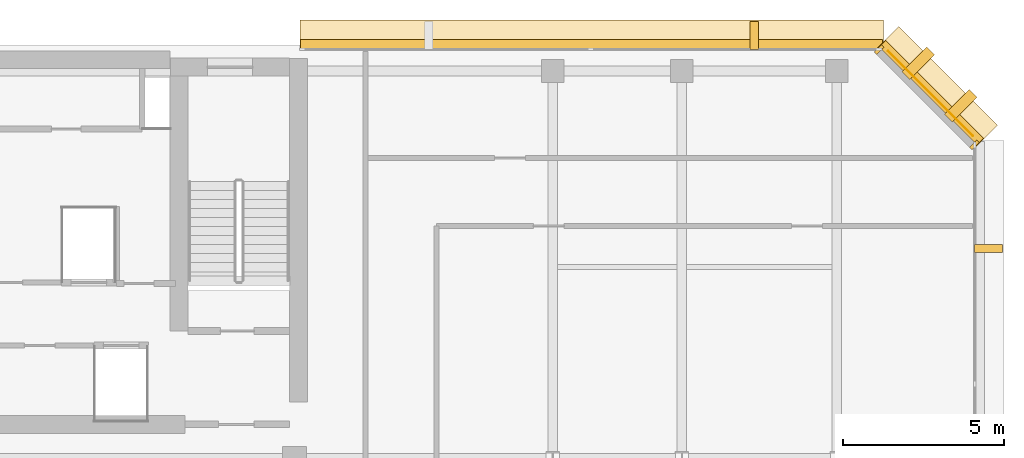
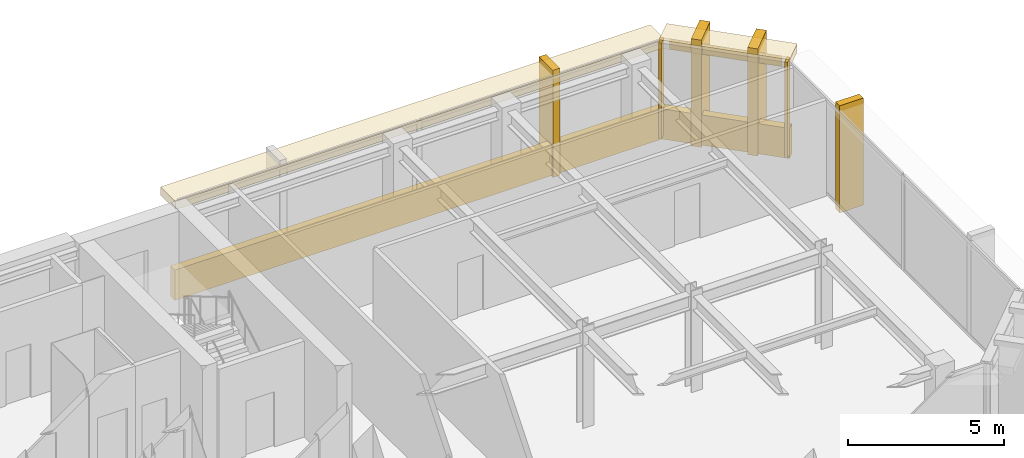
# One storey, part 12 of 12: 11 coverings.
"""IFC4 building model written with IfcOpenShell, lengths in metres."""

from ifc_helpers import new_model, si_unit, direction, frame, origin, origin_2d, place, context, subcontext, project, spatial, rectangle, extrude, material, layer, layer_set, type_object, element, save


model = new_model("IFC4")

# Units and contexts
model_context = context("Model", 3, precision=1e-05, world=origin(), true_north=direction((0.0, 1.0)))
body_context = subcontext(model_context, "Body", "Model", "MODEL_VIEW")
ifc_project = project(units=[si_unit("LENGTHUNIT", "METRE"), si_unit("AREAUNIT", "SQUARE_METRE"), si_unit("VOLUMEUNIT", "CUBIC_METRE"), si_unit("PLANEANGLEUNIT", "RADIAN"), si_unit("MASSUNIT", "GRAM", prefix="KILO")], contexts=[model_context])

# Site, building, storey
site_placement = place(None, origin())
site = spatial("IfcSite", under=ifc_project, at=site_placement, CompositionType="ELEMENT")
building_placement = place(site_placement, origin())
building = spatial("IfcBuilding", under=site, at=building_placement, Name="Kefirva Bronze Tower", CompositionType="ELEMENT")
storey_placement = place(building_placement, frame((0.0, 0.0, 339.570068359375)))
storey = spatial("IfcBuildingStorey", under=building, at=storey_placement, Name="L83", CompositionType="ELEMENT", Elevation=339.570068359375)

# Coverings
ifc_material = material(Name="Bronze anodised aluminium", Category="aluminium")
ifc_layer_1 = layer(ifc_material, 0.02001953125, Name="Bronze anodised aluminium")
ifc_layer_set_1 = layer_set([ifc_layer_1], Name="Bronze anodised aluminium")
covering_type_1 = type_object("IfcCoveringType", Name="Anodised Bronze Spandrel Cladding 20mm", PredefinedType="CLADDING", material=ifc_layer_set_1)
covering_1_placement = place(storey_placement, frame((42.906982421875, 44.507080078125, 3.320068359375), z_axis=(0.0, 0.0, 1.0), x_axis=(-0.707106781187, 0.707106781187, 0.0)))
element("IfcCovering", 1, at=covering_1_placement, inside=storey, type_object=covering_type_1, Name="L83 Bronze Spandrel Cladding 8", PredefinedType="CLADDING", context=body_context, shape_type="SweptSolid", body=[
    extrude(rectangle(XDim=3.719482421875, YDim=0.02001953125, at=origin_2d()), origin(), (0.0, 0.0, 1.0), 0.39990234375),
])
for number, where, z_axis, x_axis, name in (
    (2, (44.26220703125, 42.91162109375, 0.0), (0.0, 0.0, 1.0), (-0.707106781187, 0.707106781187, 0.0), "L83 Facade Joint Closure Panel 8S"),
    (3, (41.311767578125, 45.862060546875, 0.0), (0.0, 0.0, 1.0), (-0.707106781187, 0.707106781187, 0.0), "L83 Facade Joint Closure Panel 8E"),
):
    element("IfcCovering", number, at=place(storey_placement, frame(where, z_axis=z_axis, x_axis=x_axis)), inside=storey, type_object=covering_type_1, Name=name, PredefinedType="CLADDING", context=body_context, shape_type="SweptSolid", body=[
        extrude(rectangle(XDim=0.10009765625, YDim=0.320068359375, at=origin_2d()), origin(), (0.0, 0.0, 1.0), 3.739990234375),
    ])
covering_2_placement = place(storey_placement, frame((42.92822265625, 44.5283203125, -0.16015625), z_axis=(0.0, 0.0, 1.0), x_axis=(-0.707106781187, 0.707106781187, 0.0)))
element("IfcCovering", 4, at=covering_2_placement, inside=storey, type_object=covering_type_1, Name="L83 Streamline Horizontal Spandrel Band 11", PredefinedType="CLADDING", context=body_context, shape_type="SweptSolid", body=[
    extrude(rectangle(XDim=4.28271484375, YDim=0.280029296875, at=origin_2d()), origin(), (0.0, 0.0, 1.0), 1.179931640625),
])
covering_3_placement = place(storey_placement, frame((32.402587890625, 46.0400390625, -0.16015625), z_axis=(0.0, 0.0, 1.0), x_axis=(-1.0, 0.0, 0.0)))
element("IfcCovering", 5, at=covering_3_placement, inside=storey, type_object=covering_type_1, Name="L83 Streamline Horizontal Spandrel Band 12", PredefinedType="CLADDING", context=body_context, shape_type="SweptSolid", body=[
    extrude(rectangle(XDim=18.034912109375, YDim=0.280029296875, at=origin_2d()), origin(), (0.0, 0.0, 1.0), 1.179931640625),
])
ifc_layer_2 = layer(ifc_material, 0.179931640625, Name="Bronze anodised aluminium")
ifc_layer_set_2 = layer_set([ifc_layer_2], Name="Bronze anodised aluminium")
covering_type_2 = type_object("IfcCoveringType", Name="Streamline Bronze Sunshade Eyebrow Cladding 180mm", PredefinedType="CLADDING", material=ifc_layer_set_2)
covering_4_placement = place(storey_placement, frame((43.119140625, 44.71923828125, 3.419921875), z_axis=(0.0, 0.0, 1.0), x_axis=(-0.707106781187, 0.707106781187, 0.0)))
element("IfcCovering", 6, at=covering_4_placement, inside=storey, type_object=covering_type_2, Name="L83 Streamline Bronze Sunshade Eyebrow 11", PredefinedType="CLADDING", context=body_context, shape_type="SweptSolid", body=[
    extrude(rectangle(XDim=4.322509765625, YDim=0.93994140625, at=origin_2d()), origin(), (0.0, 0.0, 1.0), 0.320068359375),
])
covering_5_placement = place(storey_placement, frame((32.402587890625, 46.31005859375, 3.419921875), z_axis=(0.0, 0.0, 1.0), x_axis=(-1.0, 0.0, 0.0)))
element("IfcCovering", 7, at=covering_5_placement, inside=storey, type_object=covering_type_2, Name="L83 Streamline Bronze Sunshade Eyebrow 12", PredefinedType="CLADDING", context=body_context, shape_type="SweptSolid", body=[
    extrude(rectangle(XDim=18.074951171875, YDim=0.93994140625, at=origin_2d()), origin(), (0.0, 0.0, 1.0), 0.320068359375),
])
ifc_layer_3 = layer(ifc_material, 0.260009765625, Name="Bronze anodised aluminium")
ifc_layer_set_3 = layer_set([ifc_layer_3], Name="Bronze anodised aluminium")
covering_type_3 = type_object("IfcCoveringType", Name="Unbroken Bronze Buttress Fin Cladding 260mm", PredefinedType="CLADDING", material=ifc_layer_set_3)
covering_6_placement = place(storey_placement, frame((44.699951171875, 39.699951171875, -0.22021484375), z_axis=(0.0, 0.0, 1.0), x_axis=(0.0, 1.0, 0.0)))
element("IfcCovering", 8, at=covering_6_placement, inside=storey, type_object=covering_type_3, Name="L83 Unbroken Vertical Bronze Rib Fin 14", PredefinedType="CLADDING", context=body_context, shape_type="SweptSolid", body=[
    extrude(rectangle(XDim=0.260009765625, YDim=0.8798828125, at=origin_2d()), origin(), (0.0, 0.0, 1.0), 4.179931640625),
])
for number, where, z_axis, x_axis, name in (
    (9, (43.8427734375, 44.122802734375, -0.22021484375), (0.0, 0.0, 1.0), (-0.707106781187, 0.707106781187, 0.0), "L83 Chamfered Corner Buttress Fin Cladding 15"),
    (10, (42.522705078125, 45.44287109375, -0.22021484375), (0.0, 0.0, 1.0), (-0.707106781187, 0.707106781187, 0.0), "L83 Chamfered Corner Buttress Fin Cladding 16"),
):
    element("IfcCovering", number, at=place(storey_placement, frame(where, z_axis=z_axis, x_axis=x_axis)), inside=storey, type_object=covering_type_3, Name=name, PredefinedType="CLADDING", context=body_context, shape_type="SweptSolid", body=[
        extrude(rectangle(XDim=0.340087890625, YDim=1.080078125, at=origin_2d()), origin(), (0.0, 0.0, 1.0), 4.179931640625),
    ])
covering_7_placement = place(storey_placement, frame((37.441162109375, 46.300048828125, -0.22021484375), z_axis=(0.0, 0.0, 1.0), x_axis=(-1.0, 0.0, 0.0)))
element("IfcCovering", 11, at=covering_7_placement, inside=storey, type_object=covering_type_3, Name="L83 Unbroken Vertical Bronze Rib Fin 17", PredefinedType="CLADDING", context=body_context, shape_type="SweptSolid", body=[
    extrude(rectangle(XDim=0.260009765625, YDim=0.8798828125, at=origin_2d()), origin(), (0.0, 0.0, 1.0), 4.179931640625),
])

save(model, "model.ifc")
